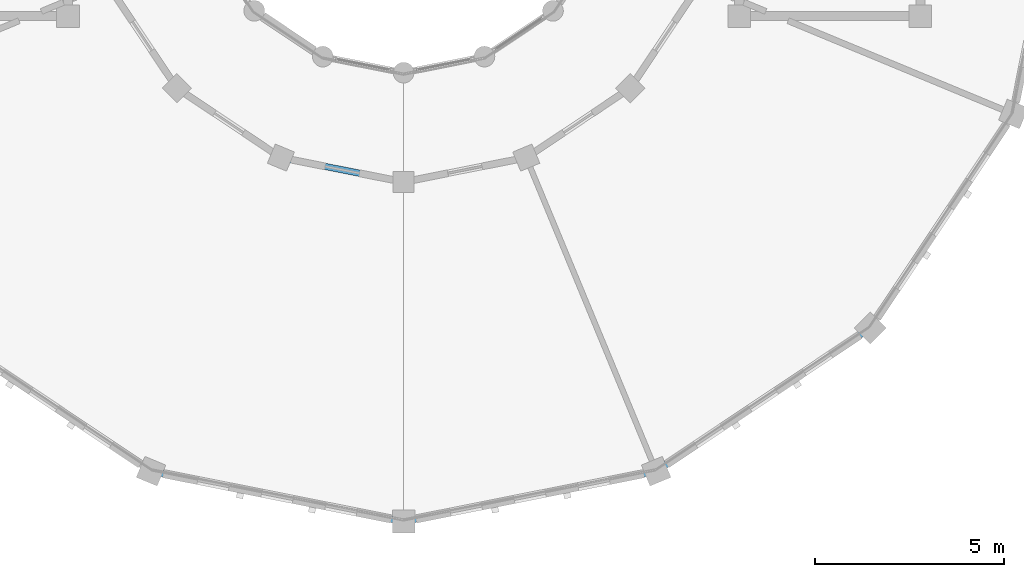
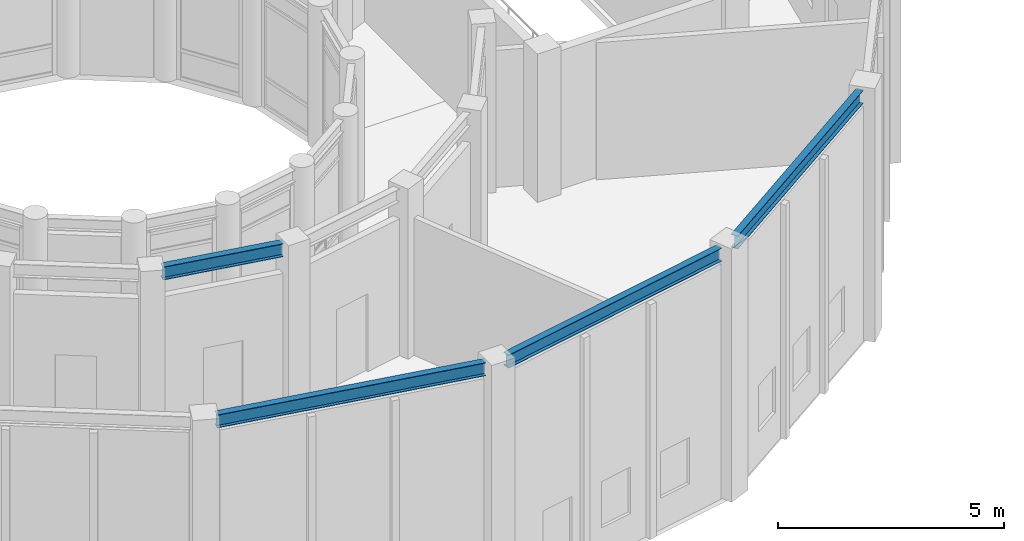
# One storey, part 9 of 149: 4 beams.
"""IFC4 building model written with IfcOpenShell, lengths in metres."""

from ifc_helpers import new_model, si_unit, direction, frame, origin, origin_2d, place, context, subcontext, project, spatial, i_section, extrude, material, material_profile, profile_set, type_object, element, save


model = new_model("IFC4")

# Units and contexts
model_context = context("Model", 3, precision=1e-05, world=origin(), true_north=direction((0.0, 1.0)))
body_context = subcontext(model_context, "Body", "Model", "MODEL_VIEW")
ifc_project = project(units=[si_unit("LENGTHUNIT", "METRE"), si_unit("AREAUNIT", "SQUARE_METRE"), si_unit("VOLUMEUNIT", "CUBIC_METRE"), si_unit("PLANEANGLEUNIT", "RADIAN"), si_unit("MASSUNIT", "GRAM", prefix="KILO")], contexts=[model_context])

# Site, building, storey
site_placement = place(None, origin())
site = spatial("IfcSite", under=ifc_project, at=site_placement, CompositionType="ELEMENT")
building_placement = place(site_placement, origin())
building = spatial("IfcBuilding", under=site, at=building_placement, Name="Celadon Cloister-Ring School", CompositionType="ELEMENT")
storey_placement = place(building_placement, frame((0.0, 0.0, 12.5)))
storey = spatial("IfcBuildingStorey", under=building, at=storey_placement, Name="L03", CompositionType="ELEMENT", Elevation=12.5)

# Beams
ifc_material_1 = material(Name="Structural steel S355JR", Category="steel")
ifc_material_profile_1 = material_profile(ifc_material_1, i_section(OverallWidth=0.1708984375, OverallDepth=0.35498046875, WebThickness=0.007080078125, FlangeThickness=0.01171875, at=origin_2d()), Name="W360X51")
ifc_profile_set_1 = profile_set([ifc_material_profile_1], Name="Structural steel S355JR")
beam_type_1 = type_object("IfcBeamType", Name="GT-08", PredefinedType="USERDEFINED", material=ifc_profile_set_1)
beam_1_placement = place(storey_placement, frame((17.19189453125, 12.097900390625, 4.322998046875), z_axis=(0.98083979986, -0.194816033759, 0.0), x_axis=(0.194816033759, 0.98083979986, 0.0)))
element("IfcBeam", 1, at=beam_1_placement, inside=storey, type_object=beam_type_1, Name="Beam 1101", ObjectType="GIRDER", PredefinedType="USERDEFINED", context=body_context, shape_type="SweptSolid", body=[
    extrude(i_section(OverallWidth=0.1708984375, OverallDepth=0.35498046875, WebThickness=0.007080078125, FlangeThickness=0.01171875, at=origin_2d()), origin(), (0.0, 0.0, 1.0), 2.817138671875),
])
ifc_material_2 = material(Name="Structural steel S355JR", Category="steel")
ifc_material_profile_2 = material_profile(ifc_material_2, i_section(OverallWidth=0.1708984375, OverallDepth=0.35498046875, WebThickness=0.007080078125, FlangeThickness=0.01171875, at=origin_2d()), Name="W360X51")
ifc_profile_set_2 = profile_set([ifc_material_profile_2], Name="Structural steel S355JR")
beam_type_2 = type_object("IfcBeamType", Name="SP-04", PredefinedType="SPANDREL", material=ifc_profile_set_2)
for number, where, z_axis, x_axis, name in (
    (2, (13.77294921875, 3.778076171875, 6.572998046875), (0.980802920261, -0.195001619501, 0.0), (0.195001619501, 0.980802920261, 0.0), "Beam 1100"),
    (3, (20.469970703125, 2.553955078125, 6.572998046875), (0.980802920261, 0.195001619501, 0.0), (-0.195001619501, 0.980802920261, 0.0), "Beam 1103"),
):
    element("IfcBeam", number, at=place(storey_placement, frame(where, z_axis=z_axis, x_axis=x_axis)), inside=storey, type_object=beam_type_2, Name=name, PredefinedType="SPANDREL", context=body_context, shape_type="SweptSolid", body=[
        extrude(i_section(OverallWidth=0.1708984375, OverallDepth=0.35498046875, WebThickness=0.007080078125, FlangeThickness=0.01171875, at=origin_2d()), origin(), (0.0, 0.0, 1.0), 6.277587890625),
    ])
beam_2_placement = place(storey_placement, frame((27.1259765625, 3.985107421875, 6.572998046875), z_axis=(0.831427473898, 0.555633292422, 0.0), x_axis=(-0.555633292422, 0.831427473898, 0.0)))
element("IfcBeam", 4, at=beam_2_placement, inside=storey, type_object=beam_type_2, Name="Beam 1106", PredefinedType="SPANDREL", context=body_context, shape_type="SweptSolid", body=[
    extrude(i_section(OverallWidth=0.1708984375, OverallDepth=0.35498046875, WebThickness=0.007080078125, FlangeThickness=0.01171875, at=origin_2d()), origin(), (0.0, 0.0, 1.0), 6.277099609375),
])

save(model, "model.ifc")
